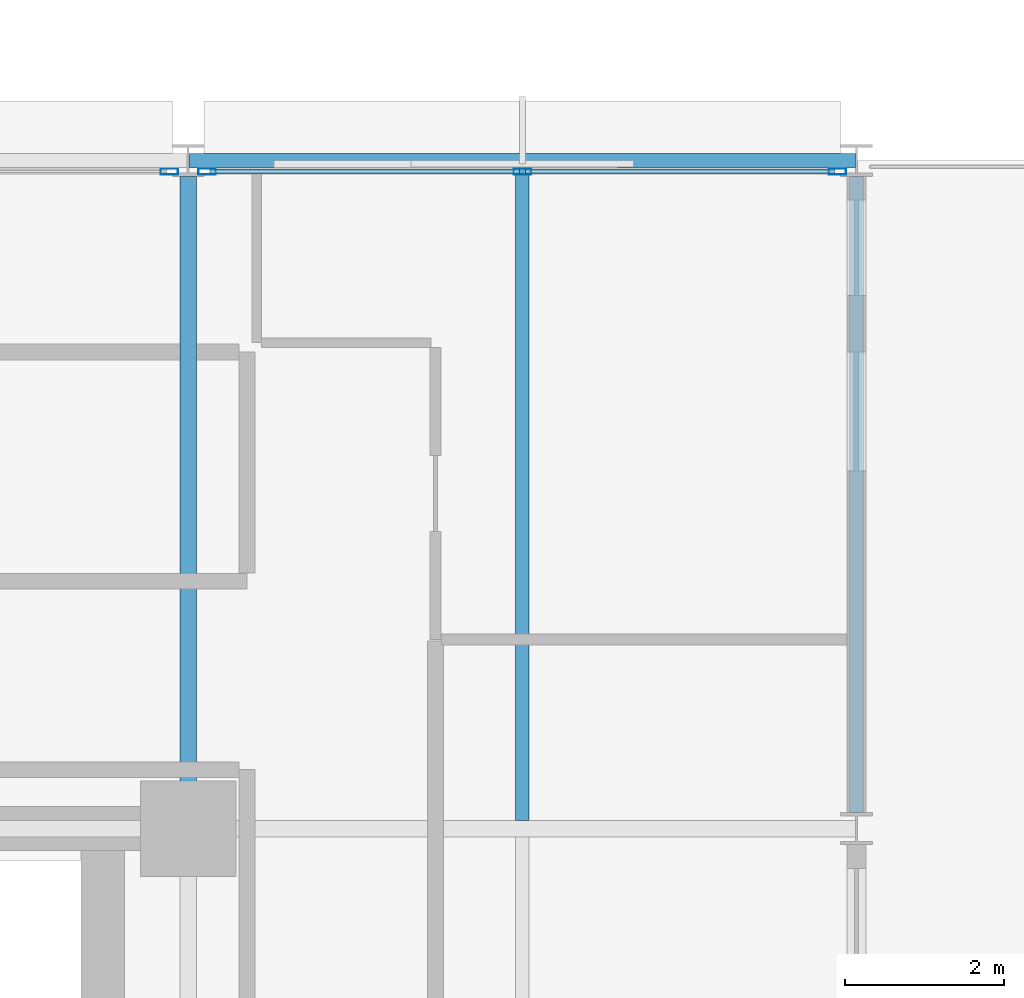
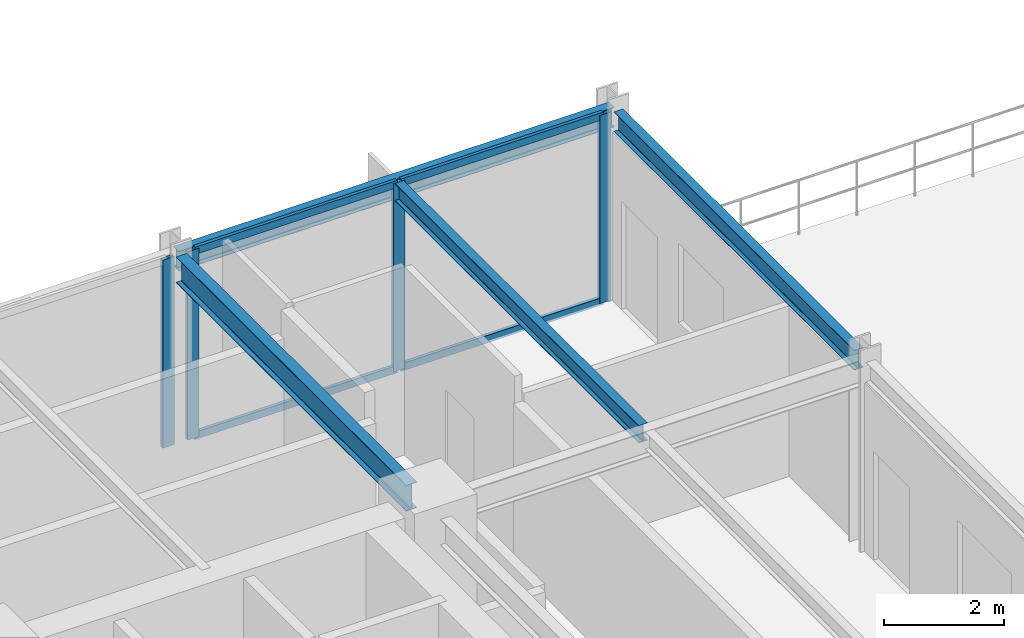
# One storey, part 11 of 25: 8 members, 4 beams, 2 elements without a shape of their own.
"""IFC4 building model written with IfcOpenShell, lengths in metres."""

from ifc_helpers import new_model, si_unit, direction, frame, origin, origin_2d, place, context, subcontext, project, spatial, hollow_rectangle, i_section, extrude, material, layer, layer_set, material_profile, profile_set, type_object, element, aggregate, save


model = new_model("IFC4")

# Units and contexts
model_context = context("Model", 3, precision=1e-05, world=origin(), true_north=direction((0.0, 1.0)))
body_context = subcontext(model_context, "Body", "Model", "MODEL_VIEW")
ifc_project = project(units=[si_unit("LENGTHUNIT", "METRE"), si_unit("AREAUNIT", "SQUARE_METRE"), si_unit("VOLUMEUNIT", "CUBIC_METRE"), si_unit("PLANEANGLEUNIT", "RADIAN"), si_unit("MASSUNIT", "GRAM", prefix="KILO")], contexts=[model_context])

# Site, building, storey
site_placement = place(None, origin())
site = spatial("IfcSite", under=ifc_project, at=site_placement, CompositionType="ELEMENT")
building_placement = place(site_placement, origin())
building = spatial("IfcBuilding", under=site, at=building_placement, Name="Nerrivon Quay Data Exchange", CompositionType="ELEMENT")
storey_placement = place(building_placement, frame((0.0, 0.0, 113.10009765625)))
storey = spatial("IfcBuildingStorey", under=building, at=storey_placement, Name="L26", CompositionType="ELEMENT", Elevation=113.10009765625)

# Beams
ifc_material_1 = material(Name="Steel Grade 350", Category="steel")
ifc_material_profile_1 = material_profile(ifc_material_1, i_section(OverallWidth=0.208984375, OverallDepth=0.528076171875, WebThickness=0.009521484375, FlangeThickness=0.01318359375, FilletRadius=0.013916015625, at=origin_2d()), Name="530UB82.0")
ifc_profile_set_1 = profile_set([ifc_material_profile_1], Name="Steel Grade 350")
beam_type_1 = type_object("IfcBeamType", Name="BM-G4-530UB82", PredefinedType="BEAM", material=ifc_profile_set_1)
beam_1_placement = place(storey_placement, frame((33.60009765625, 17.340087890625, 3.560791015625), z_axis=(0.0, 1.0, 0.0), x_axis=(-1.0, 0.0, 0.0)))
element("IfcBeam", 1, at=beam_1_placement, inside=storey, type_object=beam_type_1, Name="L26 NS Girder X=33.6 (16.8..25.2)", PredefinedType="BEAM", context=body_context, shape_type="SweptSolid", body=[
    extrude(i_section(OverallWidth=0.208984375, OverallDepth=0.528076171875, WebThickness=0.009521484375, FlangeThickness=0.01318359375, FilletRadius=0.013916015625, at=origin_2d()), origin(), (0.0, 0.0, 1.0), 7.659912109375),
])
ifc_material_profile_2 = material_profile(ifc_material_1, i_section(OverallWidth=0.1708984375, OverallDepth=0.35595703125, WebThickness=0.00732421875, FlangeThickness=0.011474609375, FilletRadius=0.011474609375, at=origin_2d()), Name="360UB50.7")
ifc_profile_set_2 = profile_set([ifc_material_profile_2], Name="Steel Grade 350")
beam_type_2 = type_object("IfcBeamType", Name="BM-J4-360UB51", PredefinedType="JOIST", material=ifc_profile_set_2)
beam_2_placement = place(storey_placement, frame((37.800048828125, 16.904541015625, 3.64697265625), z_axis=(0.0, 1.0, 0.0), x_axis=(-1.0, 0.0, 0.0)))
element("IfcBeam", 2, at=beam_2_placement, inside=storey, type_object=beam_type_2, Name="L26 Secondary Joist X=37.8 (16.8..25.2)", PredefinedType="JOIST", context=body_context, shape_type="SweptSolid", body=[
    extrude(i_section(OverallWidth=0.1708984375, OverallDepth=0.35595703125, WebThickness=0.00732421875, FlangeThickness=0.011474609375, FilletRadius=0.011474609375, at=origin_2d()), origin(), (0.0, 0.0, 1.0), 8.20654296875),
])
ifc_material_profile_3 = material_profile(ifc_material_1, i_section(OverallWidth=0.177978515625, OverallDepth=0.403076171875, WebThickness=0.007568359375, FlangeThickness=0.010986328125, FilletRadius=0.011474609375, at=origin_2d()), Name="410UB53.7")
ifc_profile_set_3 = profile_set([ifc_material_profile_3], Name="Steel Grade 350")
beam_type_3 = type_object("IfcBeamType", Name="BM-SP2-410UB54", PredefinedType="SPANDREL", material=ifc_profile_set_3)
beam_3_placement = place(storey_placement, frame((33.612548828125, 25.199951171875, 3.623291015625), z_axis=(1.0, 0.0, 0.0), x_axis=(0.0, 1.0, 0.0)))
element("IfcBeam", 3, at=beam_3_placement, inside=storey, type_object=beam_type_3, Name="L26 EW Girder Y=25.2 (33.6..42.0)", PredefinedType="SPANDREL", context=body_context, shape_type="SweptSolid", body=[
    extrude(i_section(OverallWidth=0.177978515625, OverallDepth=0.403076171875, WebThickness=0.007568359375, FlangeThickness=0.010986328125, FilletRadius=0.011474609375, at=origin_2d()), origin(), (0.0, 0.0, 1.0), 8.375),
])
beam_4_placement = place(storey_placement, frame((42.0, 17.0, 3.623291015625), z_axis=(0.0, 1.0, 0.0), x_axis=(-1.0, 0.0, 0.0)))
element("IfcBeam", 4, at=beam_4_placement, inside=storey, type_object=beam_type_3, Name="L26 NS Girder X=42.0 (16.8..25.2)", PredefinedType="SPANDREL", context=body_context, shape_type="SweptSolid", body=[
    extrude(i_section(OverallWidth=0.177978515625, OverallDepth=0.403076171875, WebThickness=0.007568359375, FlangeThickness=0.010986328125, FilletRadius=0.011474609375, at=origin_2d()), origin(), (0.0, 0.0, 1.0), 8.0),
])

# Curtain wall, member
ifc_material_2 = material(Name="Anodised aluminium 6063-T6", Category="aluminium")
ifc_layer = layer(ifc_material_2, 0.22998046875)
ifc_layer_set = layer_set([ifc_layer], Name="Anodised aluminium 6063-T6")
curtain_wall_type = type_object("IfcCurtainWallType", Name="CW-SYS-05", PredefinedType="NOTDEFINED", material=ifc_layer_set)
curtain_wall_1_placement = place(storey_placement, origin())
curtain_wall_1 = element("IfcCurtainWall", 5, at=curtain_wall_1_placement, inside=storey, type_object=curtain_wall_type, Name="L26 Unitised Curtain Wall 27", PredefinedType="NOTDEFINED")
ifc_material_profile_4 = material_profile(ifc_material_2, hollow_rectangle(XDim=0.074951171875, YDim=0.219970703125, WallThickness=0.00390625, at=origin_2d()), Name="ALU-MULL-220x75")
ifc_profile_set_4 = profile_set([ifc_material_profile_4], Name="Anodised aluminium 6063-T6")
member_type_1 = type_object("IfcMemberType", Name="CWM-220x75", PredefinedType="MULLION", material=ifc_profile_set_4)
member_1_placement = place(storey_placement, frame((33.362548828125, 25.06005859375, 0.0), z_axis=(0.0, 0.0, 1.0), x_axis=(0.0, 1.0, 0.0)))
member_1 = element("IfcMember", 6, at=member_1_placement, type_object=member_type_1, Name="CW05 mullion 3", PredefinedType="MULLION", context=body_context, shape_type="SweptSolid", body=[
    extrude(hollow_rectangle(XDim=0.074951171875, YDim=0.219970703125, WallThickness=0.00390625, at=origin_2d()), origin(), (0.0, 0.0, 1.0), 3.824951171875),
])
aggregate(curtain_wall_1, [member_1])

# Curtain wall, members
curtain_wall_2_placement = place(storey_placement, origin())
curtain_wall_2 = element("IfcCurtainWall", 7, at=curtain_wall_2_placement, inside=storey, type_object=curtain_wall_type, Name="L26 Unitised Curtain Wall 28", PredefinedType="NOTDEFINED")
member_2_placement = place(storey_placement, frame((33.83740234375, 25.06005859375, 0.0), z_axis=(0.0, 0.0, 1.0), x_axis=(0.0, 1.0, 0.0)))
member_2 = element("IfcMember", 8, at=member_2_placement, type_object=member_type_1, Name="CW05 mullion 1", PredefinedType="MULLION", context=body_context, shape_type="SweptSolid", body=[
    extrude(hollow_rectangle(XDim=0.074951171875, YDim=0.219970703125, WallThickness=0.00390625, at=origin_2d()), origin(), (0.0, 0.0, 1.0), 3.824951171875),
])
member_3_placement = place(storey_placement, frame((37.800048828125, 25.06005859375, 0.0), z_axis=(0.0, 0.0, 1.0), x_axis=(0.0, 1.0, 0.0)))
member_3 = element("IfcMember", 9, at=member_3_placement, type_object=member_type_1, Name="CW05 mullion 2", PredefinedType="MULLION", context=body_context, shape_type="SweptSolid", body=[
    extrude(hollow_rectangle(XDim=0.074951171875, YDim=0.219970703125, WallThickness=0.00390625, at=origin_2d()), origin(), (0.0, 0.0, 1.0), 3.824951171875),
])
member_4_placement = place(storey_placement, frame((41.762451171875, 25.06005859375, 0.0), z_axis=(0.0, 0.0, 1.0), x_axis=(0.0, 1.0, 0.0)))
member_4 = element("IfcMember", 10, at=member_4_placement, type_object=member_type_1, Name="CW05 mullion 3", PredefinedType="MULLION", context=body_context, shape_type="SweptSolid", body=[
    extrude(hollow_rectangle(XDim=0.074951171875, YDim=0.219970703125, WallThickness=0.00390625, at=origin_2d()), origin(), (0.0, 0.0, 1.0), 3.824951171875),
])
ifc_material_profile_5 = material_profile(ifc_material_2, hollow_rectangle(XDim=0.06494140625, YDim=0.14990234375, WallThickness=0.00341796875, at=origin_2d()), Name="ALU-TRAN-150x65")
ifc_profile_set_5 = profile_set([ifc_material_profile_5], Name="Anodised aluminium 6063-T6")
member_type_2 = type_object("IfcMemberType", Name="CWT-150x65", PredefinedType="USERDEFINED", material=ifc_profile_set_5)
member_5_placement = place(storey_placement, frame((33.875, 25.06005859375, 0.032470703125), z_axis=(1.0, 0.0, 0.0), x_axis=(0.0, 1.0, 0.0)))
member_5 = element("IfcMember", 11, at=member_5_placement, type_object=member_type_2, Name="CW05 transom 1.1", ObjectType="TRANSOM", PredefinedType="USERDEFINED", context=body_context, shape_type="SweptSolid", body=[
    extrude(hollow_rectangle(XDim=0.06494140625, YDim=0.14990234375, WallThickness=0.00341796875, at=origin_2d()), origin(), (0.0, 0.0, 1.0), 3.887451171875),
])
member_6_placement = place(storey_placement, frame((33.875, 25.06005859375, 3.79248046875), z_axis=(1.0, 0.0, 0.0), x_axis=(0.0, 1.0, 0.0)))
member_6 = element("IfcMember", 12, at=member_6_placement, type_object=member_type_2, Name="CW05 transom 1.2", ObjectType="TRANSOM", PredefinedType="USERDEFINED", context=body_context, shape_type="SweptSolid", body=[
    extrude(hollow_rectangle(XDim=0.06494140625, YDim=0.14990234375, WallThickness=0.00341796875, at=origin_2d()), origin(), (0.0, 0.0, 1.0), 3.887451171875),
])
member_7_placement = place(storey_placement, frame((37.83740234375, 25.06005859375, 0.032470703125), z_axis=(1.0, 0.0, 0.0), x_axis=(0.0, 1.0, 0.0)))
member_7 = element("IfcMember", 13, at=member_7_placement, type_object=member_type_2, Name="CW05 transom 2.1", ObjectType="TRANSOM", PredefinedType="USERDEFINED", context=body_context, shape_type="SweptSolid", body=[
    extrude(hollow_rectangle(XDim=0.06494140625, YDim=0.14990234375, WallThickness=0.00341796875, at=origin_2d()), origin(), (0.0, 0.0, 1.0), 3.8876953125),
])
member_8_placement = place(storey_placement, frame((37.83740234375, 25.06005859375, 3.79248046875), z_axis=(1.0, 0.0, 0.0), x_axis=(0.0, 1.0, 0.0)))
member_8 = element("IfcMember", 14, at=member_8_placement, type_object=member_type_2, Name="CW05 transom 2.2", ObjectType="TRANSOM", PredefinedType="USERDEFINED", context=body_context, shape_type="SweptSolid", body=[
    extrude(hollow_rectangle(XDim=0.06494140625, YDim=0.14990234375, WallThickness=0.00341796875, at=origin_2d()), origin(), (0.0, 0.0, 1.0), 3.8876953125),
])
aggregate(curtain_wall_2, [member_2, member_3, member_4, member_5, member_6, member_7, member_8])

save(model, "model.ifc")
